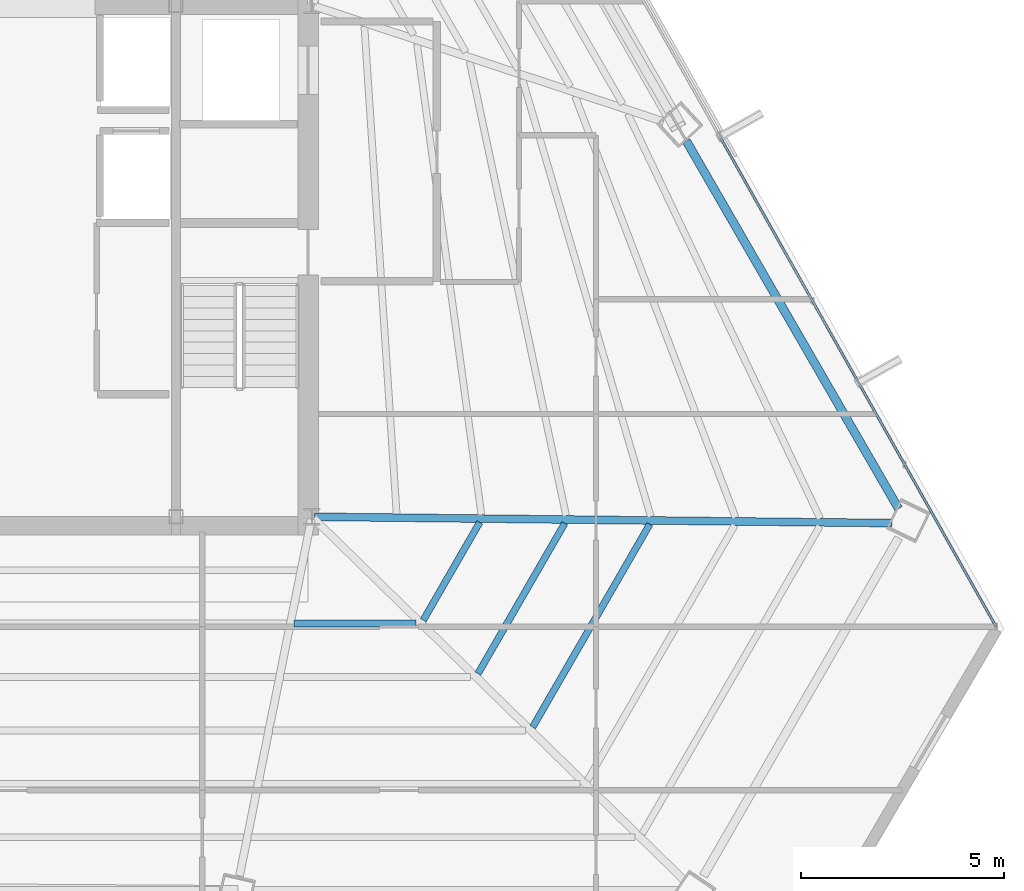
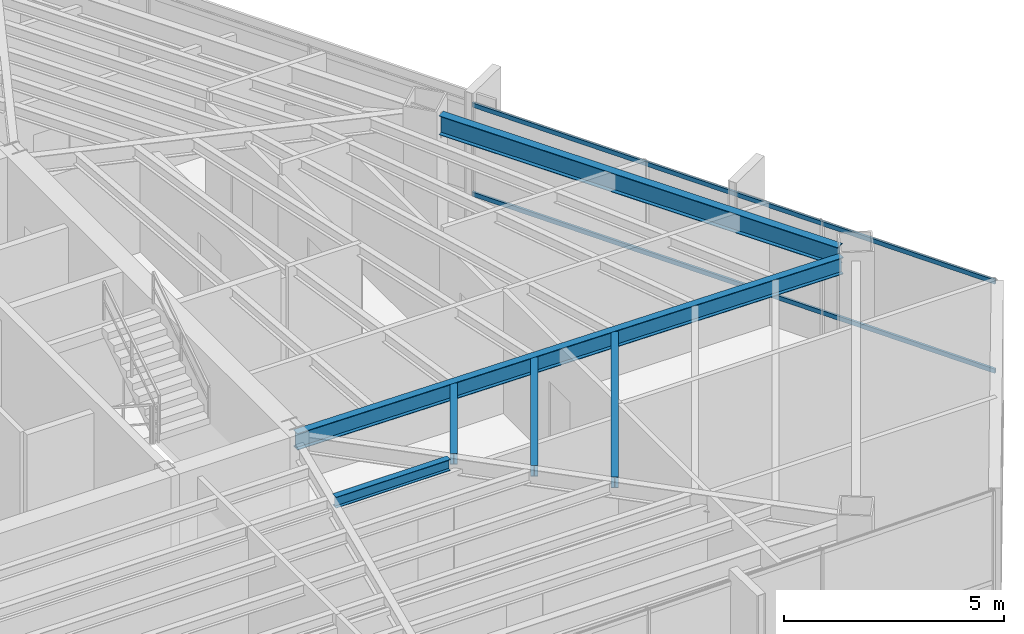
# One storey, part 21 of 42: 6 beams, 2 members, 1 element without a shape of its own.
"""IFC4 building model written with IfcOpenShell, lengths in metres."""

from ifc_helpers import new_model, si_unit, direction, frame, origin, origin_2d, place, context, subcontext, project, spatial, hollow_rectangle, i_section, extrude, source, transform, mapped, material, material_profile, profile_set, type_object, type_shapes, element, aggregate, save


model = new_model("IFC4")

# Units and contexts
model_context = context("Model", 3, precision=1e-05, world=origin(), true_north=direction((0.0, 1.0)))
body_context = subcontext(model_context, "Body", "Model", "MODEL_VIEW")
ifc_project = project(units=[si_unit("LENGTHUNIT", "METRE"), si_unit("AREAUNIT", "SQUARE_METRE"), si_unit("VOLUMEUNIT", "CUBIC_METRE"), si_unit("PLANEANGLEUNIT", "RADIAN"), si_unit("MASSUNIT", "GRAM", prefix="KILO")], contexts=[model_context])

# Site, building, storey
site_placement = place(None, origin())
site = spatial("IfcSite", under=ifc_project, at=site_placement, CompositionType="ELEMENT")
building_placement = place(site_placement, origin())
building = spatial("IfcBuilding", under=site, at=building_placement, Name="Caelisora Broadcast Tower", CompositionType="ELEMENT")
storey_placement = place(building_placement, frame((0.0, 0.0, 195.0)))
storey = spatial("IfcBuildingStorey", under=building, at=storey_placement, Name="L51", CompositionType="ELEMENT", Elevation=195.0)

# Beams
ifc_material_1 = material(Name="Steel Grade 350 (AS/NZS 3679.1)", Category="steel")
ifc_material_profile_1 = material_profile(ifc_material_1, i_section(OverallWidth=0.208984375, OverallDepth=0.532958984375, WebThickness=0.01025390625, FlangeThickness=0.015625, at=origin_2d()), Name="Steel Grade 350 (AS/NZS 3679.1)")
ifc_profile_set_1 = profile_set([ifc_material_profile_1], Name="Steel Grade 350 (AS/NZS 3679.1)")
beam_type_1 = type_object("IfcBeamType", Name="PG05", PredefinedType="BEAM", material=ifc_profile_set_1)
shared_shape_1 = source(origin(), body_context, "Body", "SweptSolid", [
    extrude(i_section(OverallWidth=0.208984375, OverallDepth=0.532958984375, WebThickness=0.01025390625, FlangeThickness=0.015625, at=origin_2d()), origin(), (0.0, 0.0, 1.0), 10.458984375),
])
type_shapes(beam_type_1, [shared_shape_1])
beam_1_placement = place(storey_placement, frame((59.95361328125, 17.59912109375, 3.133544921875), z_axis=(-0.500005339912, 0.866022320763, 0.0), x_axis=(-0.866022320763, -0.500005339912, 0.0)))
element("IfcBeam", 1, at=beam_1_placement, inside=storey, type_object=beam_type_1, Name="L51 beam PG05", PredefinedType="BEAM", context=body_context, shape_type="MappedRepresentation", body=[
    mapped(shared_shape_1, transform((0.0, 0.0, 0.0), scale=1.0)),
])
ifc_material_profile_2 = material_profile(ifc_material_1, i_section(OverallWidth=0.19091796875, OverallDepth=0.46044921875, WebThickness=0.010009765625, FlangeThickness=0.01611328125, at=origin_2d()), Name="Steel Grade 350 (AS/NZS 3679.1)")
ifc_profile_set_2 = profile_set([ifc_material_profile_2], Name="Steel Grade 350 (AS/NZS 3679.1)")
beam_type_2 = type_object("IfcBeamType", Name="PG06", PredefinedType="BEAM", material=ifc_profile_set_2)
shared_shape_2 = source(origin(), body_context, "Body", "SweptSolid", [
    extrude(i_section(OverallWidth=0.19091796875, OverallDepth=0.46044921875, WebThickness=0.010009765625, FlangeThickness=0.01611328125, at=origin_2d()), origin(), (0.0, 0.0, 1.0), 14.2265625),
])
type_shapes(beam_type_2, [shared_shape_2])
beam_2_placement = place(storey_placement, frame((45.56005859375, 17.3994140625, 3.169921875), z_axis=(0.999939495674, -0.011000226827, 0.0), x_axis=(0.011000226827, 0.999939495674, 0.0)))
element("IfcBeam", 2, at=beam_2_placement, inside=storey, type_object=beam_type_2, Name="L51 beam PG06", PredefinedType="BEAM", context=body_context, shape_type="MappedRepresentation", body=[
    mapped(shared_shape_2, transform((0.0, 0.0, 0.0), scale=1.0)),
])
ifc_material_profile_3 = material_profile(ifc_material_1, i_section(OverallWidth=0.166015625, OverallDepth=0.30712890625, WebThickness=0.006591796875, FlangeThickness=0.01171875, at=origin_2d()), Name="Steel Grade 350 (AS/NZS 3679.1)")
ifc_profile_set_3 = profile_set([ifc_material_profile_3], Name="Steel Grade 350 (AS/NZS 3679.1)")
beam_type_3 = type_object("IfcBeamType", Name="SB03", PredefinedType="JOIST", material=ifc_profile_set_3)
shared_shape_3 = source(origin(), body_context, "Body", "SweptSolid", [
    extrude(i_section(OverallWidth=0.166015625, OverallDepth=0.30712890625, WebThickness=0.006591796875, FlangeThickness=0.01171875, at=origin_2d()), origin(), (0.0, 0.0, 1.0), 2.783935546875),
])
beam_3_placement = place(storey_placement, frame((48.243896484375, 14.850830078125, 3.246337890625), z_axis=(0.499978037009, 0.866038083752, 0.0), x_axis=(-0.866038083752, 0.499978037009, 0.0)))
element("IfcBeam", 3, at=beam_3_placement, inside=storey, type_object=beam_type_3, Name="L51 beam SB03", PredefinedType="JOIST", context=body_context, shape_type="MappedRepresentation", body=[
    mapped(shared_shape_3, transform((0.0, 0.0, 0.0), scale=1.0)),
])
shared_shape_4 = source(origin(), body_context, "Body", "SweptSolid", [
    extrude(i_section(OverallWidth=0.166015625, OverallDepth=0.30712890625, WebThickness=0.006591796875, FlangeThickness=0.01171875, at=origin_2d()), origin(), (0.0, 0.0, 1.0), 4.276611328125),
])
beam_4_placement = place(storey_placement, frame((49.591796875, 13.534912109375, 3.246337890625), z_axis=(0.500025535525, 0.86601066034, 0.0), x_axis=(-0.86601066034, 0.500025535525, 0.0)))
element("IfcBeam", 4, at=beam_4_placement, inside=storey, type_object=beam_type_3, Name="L51 beam SB03", PredefinedType="JOIST", context=body_context, shape_type="MappedRepresentation", body=[
    mapped(shared_shape_4, transform((0.0, 0.0, 0.0), scale=1.0)),
])
shared_shape_5 = source(origin(), body_context, "Body", "SweptSolid", [
    extrude(i_section(OverallWidth=0.166015625, OverallDepth=0.30712890625, WebThickness=0.006591796875, FlangeThickness=0.01171875, at=origin_2d()), origin(), (0.0, 0.0, 1.0), 5.769775390625),
])
beam_5_placement = place(storey_placement, frame((50.93994140625, 12.21875, 3.246337890625), z_axis=(0.499980071345, 0.866036909293, 0.0), x_axis=(-0.866036909293, 0.499980071345, 0.0)))
element("IfcBeam", 5, at=beam_5_placement, inside=storey, type_object=beam_type_3, Name="L51 beam SB03", PredefinedType="JOIST", context=body_context, shape_type="MappedRepresentation", body=[
    mapped(shared_shape_5, transform((0.0, 0.0, 0.0), scale=1.0)),
])
shared_shape_6 = source(origin(), body_context, "Body", "SweptSolid", [
    extrude(i_section(OverallWidth=0.166015625, OverallDepth=0.30712890625, WebThickness=0.006591796875, FlangeThickness=0.01171875, at=origin_2d()), origin(), (0.0, 0.0, 1.0), 2.997802734375),
])
type_shapes(beam_type_3, [shared_shape_3, shared_shape_4, shared_shape_5, shared_shape_6])
beam_6_placement = place(storey_placement, frame((45.064453125, 14.76806640625, 3.246337890625), z_axis=(1.0, 0.0, 0.0), x_axis=(0.0, 1.0, 0.0)))
element("IfcBeam", 6, at=beam_6_placement, inside=storey, type_object=beam_type_3, Name="L51 beam SB03", PredefinedType="JOIST", context=body_context, shape_type="MappedRepresentation", body=[
    mapped(shared_shape_6, transform((0.0, 0.0, 0.0), scale=1.0)),
])

# Curtain wall, members
ifc_material_2 = material(Name="Unitised Aluminium and Low-E Glass Curtain Wall", Category="glass")
curtain_wall_type = type_object("IfcCurtainWallType", Name="CW-Z4", PredefinedType="NOTDEFINED", material=ifc_material_2)
curtain_wall_placement = place(storey_placement, origin())
curtain_wall = element("IfcCurtainWall", 7, at=curtain_wall_placement, inside=storey, type_object=curtain_wall_type, Name="L51 curtain wall CW-Z4", PredefinedType="NOTDEFINED")
ifc_material_3 = material(Name="Aluminium 6063-T6 Anodised Terracotta Bronze", Category="aluminium")
ifc_material_profile_4 = material_profile(ifc_material_3, hollow_rectangle(XDim=0.06005859375, YDim=0.1201171875, WallThickness=0.0029296875, at=origin_2d()), Name="Aluminium 6063-T6 Anodised Terracotta Bronze")
ifc_profile_set_4 = profile_set([ifc_material_profile_4], Name="Aluminium 6063-T6 Anodised Terracotta Bronze")
member_type = type_object("IfcMemberType", Name="CWT-03", PredefinedType="USERDEFINED", material=ifc_profile_set_4)
shared_shape_7 = source(origin(), body_context, "Body", "SweptSolid", [
    extrude(hollow_rectangle(XDim=0.06005859375, YDim=0.1201171875, WallThickness=0.0029296875, at=origin_2d()), origin(), (0.0, 0.0, 1.0), 13.79345703125),
])
type_shapes(member_type, [shared_shape_7])
member_1_placement = place(storey_placement, frame((55.57958984375, 26.7119140625, 0.85009765625), z_axis=(0.491004759719, -0.871156889391, 0.0), x_axis=(0.871156889391, 0.491004759719, 0.0)))
member_1 = element("IfcMember", 8, at=member_1_placement, type_object=member_type, Name="L51-CW-B03 transom #1", ObjectType="TRANSOM", PredefinedType="USERDEFINED", context=body_context, shape_type="MappedRepresentation", body=[
    mapped(shared_shape_7, transform((0.0, 0.0, 0.0), scale=1.0)),
])
member_2_placement = place(storey_placement, frame((55.57958984375, 26.7119140625, 3.320068359375), z_axis=(0.491004759719, -0.871156889391, 0.0), x_axis=(0.871156889391, 0.491004759719, 0.0)))
member_2 = element("IfcMember", 9, at=member_2_placement, type_object=member_type, Name="L51-CW-B03 transom #2", ObjectType="TRANSOM", PredefinedType="USERDEFINED", context=body_context, shape_type="MappedRepresentation", body=[
    mapped(shared_shape_7, transform((0.0, 0.0, 0.0), scale=1.0)),
])
aggregate(curtain_wall, [member_1, member_2])

save(model, "model.ifc")
